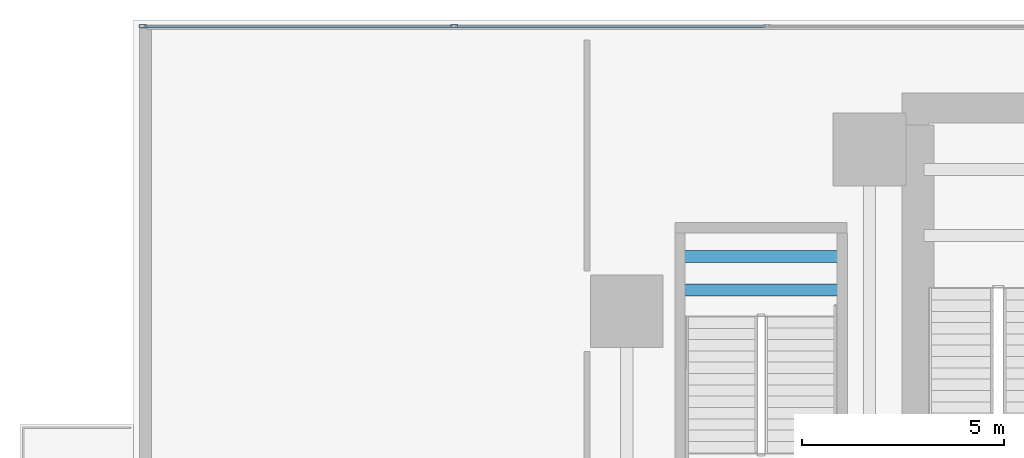
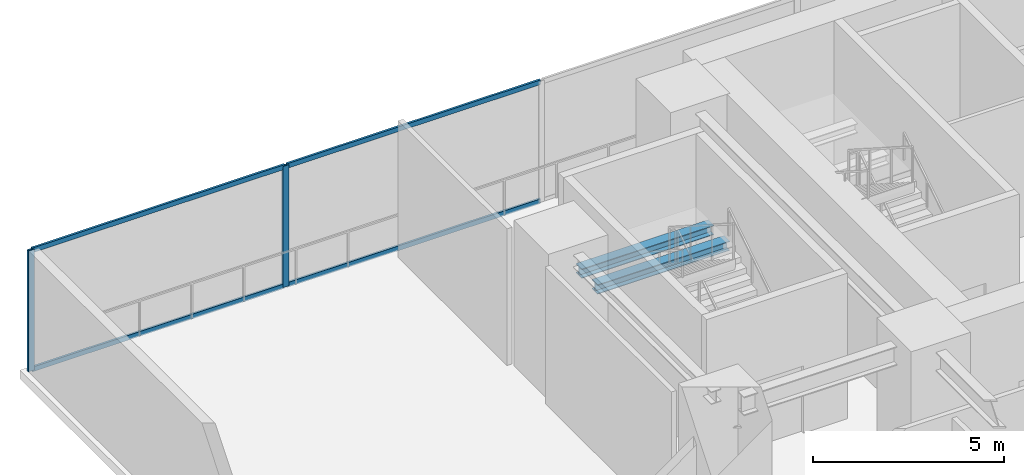
# One storey, part 2 of 17: 6 members, 2 beams, 1 element without a shape of its own.
"""IFC4 building model written with IfcOpenShell, lengths in metres."""

from ifc_helpers import new_model, si_unit, direction, frame, origin, origin_2d, place, context, subcontext, project, spatial, hollow_rectangle, i_section, extrude, source, transform, mapped, material, layer, layer_set, material_profile, profile_set, type_object, element, aggregate, save


model = new_model("IFC4")

# Units and contexts
model_context = context("Model", 3, precision=1e-05, world=origin(), true_north=direction((0.0, 1.0)))
body_context = subcontext(model_context, "Body", "Model", "MODEL_VIEW")
ifc_project = project(units=[si_unit("LENGTHUNIT", "METRE"), si_unit("AREAUNIT", "SQUARE_METRE"), si_unit("VOLUMEUNIT", "CUBIC_METRE"), si_unit("PLANEANGLEUNIT", "RADIAN"), si_unit("MASSUNIT", "GRAM", prefix="KILO")], contexts=[model_context])

# Site, building, storey
site_placement = place(None, origin())
site = spatial("IfcSite", under=ifc_project, at=site_placement, CompositionType="ELEMENT")
building_placement = place(site_placement, origin())
building = spatial("IfcBuilding", under=site, at=building_placement, Name="Sumidabori Civic Tower", CompositionType="ELEMENT")
storey_placement = place(building_placement, frame((0.0, 0.0, 9.64990234375)))
storey = spatial("IfcBuildingStorey", under=building, at=storey_placement, Name="L02", CompositionType="ELEMENT", Elevation=9.64990234375)

# Beams
ifc_material_1 = material(Name="Steel SN490", Category="steel")
ifc_material_profile_1 = material_profile(ifc_material_1, i_section(OverallWidth=0.300048828125, OverallDepth=0.300048828125, WebThickness=0.010986328125, FlangeThickness=0.01904296875, at=origin_2d()), Name="HE 300 B")
ifc_profile_set_1 = profile_set([ifc_material_profile_1], Name="Steel SN490")
beam_type = type_object("IfcBeamType", Name="BM-LDG-300", PredefinedType="BEAM", material=ifc_profile_set_1)
shared_shape_1 = source(origin(), body_context, "Body", "SweptSolid", [
    extrude(i_section(OverallWidth=0.300048828125, OverallDepth=0.300048828125, WebThickness=0.010986328125, FlangeThickness=0.01904296875, at=origin_2d()), origin(), (0.0, 0.0, 1.0), 4.0),
])
for number, where, z_axis, x_axis, name in (
    (1, (-21.47998046875, 19.32568359375, 1.97509765625), (1.0, 0.0, 0.0), (0.0, 1.0, 0.0), "Stair ST-3 Landing Support Beam L02-1A"),
    (2, (-21.47998046875, 20.15771484375, 1.97509765625), (1.0, 0.0, 0.0), (0.0, 1.0, 0.0), "Stair ST-3 Landing Trimmer Beam L02-1B"),
):
    element("IfcBeam", number, at=place(storey_placement, frame(where, z_axis=z_axis, x_axis=x_axis)), inside=storey, type_object=beam_type, Name=name, PredefinedType="BEAM", context=body_context, shape_type="MappedRepresentation", body=[
        mapped(shared_shape_1, transform((0.0, 0.0, 0.0), x_axis=(1.0, 0.0, 0.0), y_axis=(0.0, 1.0, 0.0), z_axis=(0.0, 0.0, 1.0), scale=1.0)),
    ])

# Curtain wall, members
ifc_material_2 = material(Name="Anodised Bronze Aluminium AW-6063-T6", Category="aluminium")
ifc_layer = layer(ifc_material_2, 0.179931640625, Name="Anodised Bronze Aluminium AW-6063-T6")
ifc_layer_set = layer_set([ifc_layer], Name="Anodised Bronze Aluminium AW-6063-T6")
curtain_wall_type = type_object("IfcCurtainWallType", Name="CW-SYS-1", PredefinedType="NOTDEFINED", material=ifc_layer_set)
curtain_wall_placement = place(storey_placement, origin())
curtain_wall = element("IfcCurtainWall", 3, at=curtain_wall_placement, inside=storey, type_object=curtain_wall_type, Name="Curtain Wall CW:L02:NORTH", PredefinedType="NOTDEFINED")
ifc_material_profile_2 = material_profile(ifc_material_2, hollow_rectangle(XDim=0.070068359375, YDim=0.179931640625, WallThickness=0.006103515625, at=origin_2d()), Name="ALU MULLION 180x70")
ifc_profile_set_2 = profile_set([ifc_material_profile_2], Name="Anodised Bronze Aluminium AW-6063-T6")
member_type_1 = type_object("IfcMemberType", Name="CW-MUL-180", PredefinedType="MULLION", material=ifc_profile_set_2)
shared_shape_2 = source(origin(), body_context, "Body", "SweptSolid", [
    extrude(hollow_rectangle(XDim=0.070068359375, YDim=0.179931640625, WallThickness=0.006103515625, at=origin_2d()), origin(), (0.0, 0.0, 1.0), 3.8701171875),
])
member_1_placement = place(storey_placement, frame((-34.764892578125, 25.85009765625, 0.0), z_axis=(0.0, 0.0, 1.0), x_axis=(0.0, 1.0, 0.0)))
member_1 = element("IfcMember", 4, at=member_1_placement, type_object=member_type_1, Name="CW-1 mullion 1", PredefinedType="MULLION", context=body_context, shape_type="MappedRepresentation", body=[
    mapped(shared_shape_2, transform((0.0, 0.0, 0.0), x_axis=(1.0, 0.0, 0.0), y_axis=(0.0, 1.0, 0.0), z_axis=(0.0, 0.0, 1.0), scale=1.0)),
])
member_2_placement = place(storey_placement, frame((-27.066650390625, 25.85009765625, 0.0), z_axis=(0.0, 0.0, 1.0), x_axis=(0.0, 1.0, 0.0)))
member_2 = element("IfcMember", 5, at=member_2_placement, type_object=member_type_1, Name="CW-1 mullion 2", PredefinedType="MULLION", context=body_context, shape_type="MappedRepresentation", body=[
    mapped(shared_shape_2, transform((0.0, 0.0, 0.0), x_axis=(1.0, 0.0, 0.0), y_axis=(0.0, 1.0, 0.0), z_axis=(0.0, 0.0, 1.0), scale=1.0)),
])
ifc_material_profile_3 = material_profile(ifc_material_2, hollow_rectangle(XDim=0.06494140625, YDim=0.14990234375, WallThickness=0.0048828125, at=origin_2d()), Name="ALU TRANSOM 150x65")
ifc_profile_set_3 = profile_set([ifc_material_profile_3], Name="Anodised Bronze Aluminium AW-6063-T6")
member_type_2 = type_object("IfcMemberType", Name="CW-TRN-150", PredefinedType="USERDEFINED", material=ifc_profile_set_3)
shared_shape_3 = source(origin(), body_context, "Body", "SweptSolid", [
    extrude(hollow_rectangle(XDim=0.06494140625, YDim=0.14990234375, WallThickness=0.0048828125, at=origin_2d()), origin(), (0.0, 0.0, 1.0), 7.62841796875),
])
member_3_placement = place(storey_placement, frame((-34.72998046875, 25.85009765625, 0.03271484375), z_axis=(1.0, 0.0, 0.0), x_axis=(0.0, 1.0, 0.0)))
member_3 = element("IfcMember", 6, at=member_3_placement, type_object=member_type_2, Name="CW-1 transom 1.1", ObjectType="TRANSOM", PredefinedType="USERDEFINED", context=body_context, shape_type="MappedRepresentation", body=[
    mapped(shared_shape_3, transform((0.0, 0.0, 0.0), x_axis=(1.0, 0.0, 0.0), y_axis=(0.0, 1.0, 0.0), z_axis=(0.0, 0.0, 1.0), scale=1.0)),
])
member_4_placement = place(storey_placement, frame((-34.72998046875, 25.85009765625, 3.837646484375), z_axis=(1.0, 0.0, 0.0), x_axis=(0.0, 1.0, 0.0)))
member_4 = element("IfcMember", 7, at=member_4_placement, type_object=member_type_2, Name="CW-1 transom 1.2", ObjectType="TRANSOM", PredefinedType="USERDEFINED", context=body_context, shape_type="MappedRepresentation", body=[
    mapped(shared_shape_3, transform((0.0, 0.0, 0.0), x_axis=(1.0, 0.0, 0.0), y_axis=(0.0, 1.0, 0.0), z_axis=(0.0, 0.0, 1.0), scale=1.0)),
])
shared_shape_4 = source(origin(), body_context, "Body", "SweptSolid", [
    extrude(hollow_rectangle(XDim=0.06494140625, YDim=0.14990234375, WallThickness=0.0048828125, at=origin_2d()), origin(), (0.0, 0.0, 1.0), 7.663330078125),
])
member_5_placement = place(storey_placement, frame((-27.03173828125, 25.85009765625, 0.03271484375), z_axis=(1.0, 0.0, 0.0), x_axis=(0.0, 1.0, 0.0)))
member_5 = element("IfcMember", 8, at=member_5_placement, type_object=member_type_2, Name="CW-1 transom 2.1", ObjectType="TRANSOM", PredefinedType="USERDEFINED", context=body_context, shape_type="MappedRepresentation", body=[
    mapped(shared_shape_4, transform((0.0, 0.0, 0.0), x_axis=(1.0, 0.0, 0.0), y_axis=(0.0, 1.0, 0.0), z_axis=(0.0, 0.0, 1.0), scale=1.0)),
])
member_6_placement = place(storey_placement, frame((-27.03173828125, 25.85009765625, 3.837646484375), z_axis=(1.0, 0.0, 0.0), x_axis=(0.0, 1.0, 0.0)))
member_6 = element("IfcMember", 9, at=member_6_placement, type_object=member_type_2, Name="CW-1 transom 2.2", ObjectType="TRANSOM", PredefinedType="USERDEFINED", context=body_context, shape_type="MappedRepresentation", body=[
    mapped(shared_shape_4, transform((0.0, 0.0, 0.0), x_axis=(1.0, 0.0, 0.0), y_axis=(0.0, 1.0, 0.0), z_axis=(0.0, 0.0, 1.0), scale=1.0)),
])
aggregate(curtain_wall, [member_1, member_2, member_3, member_4, member_5, member_6])

save(model, "model.ifc")
